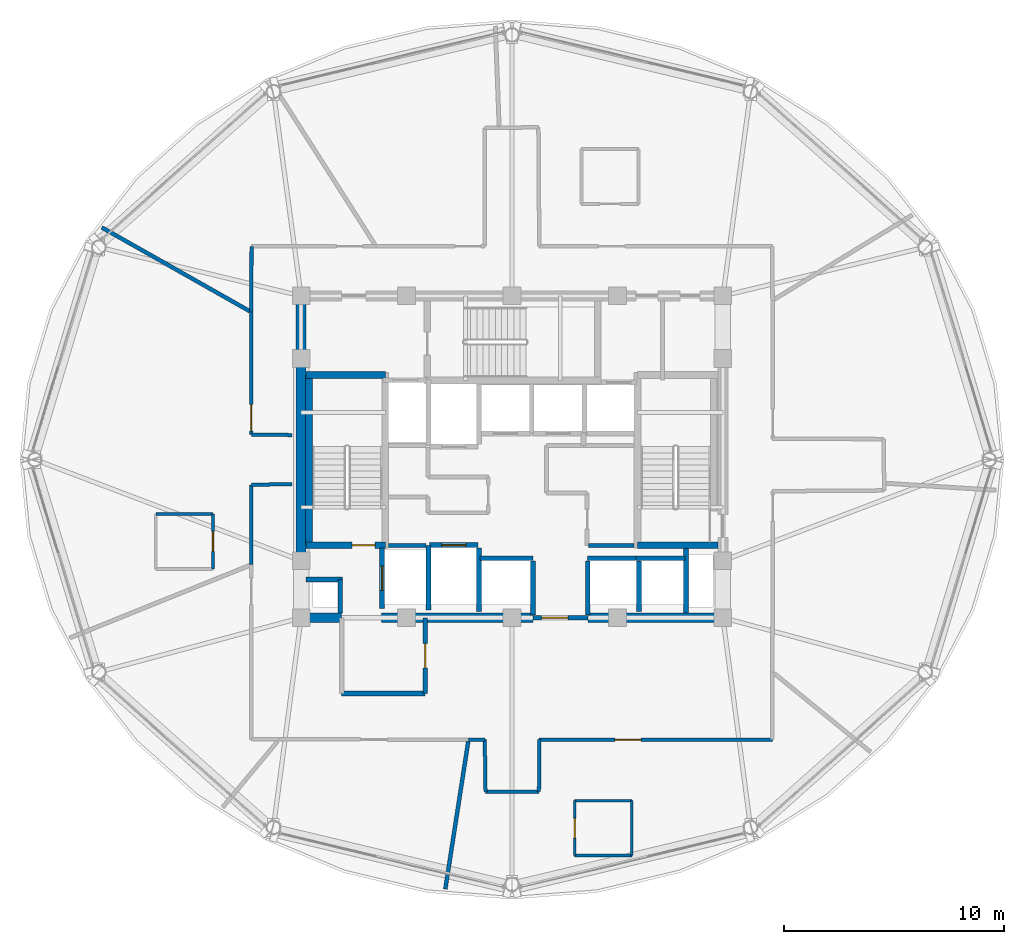
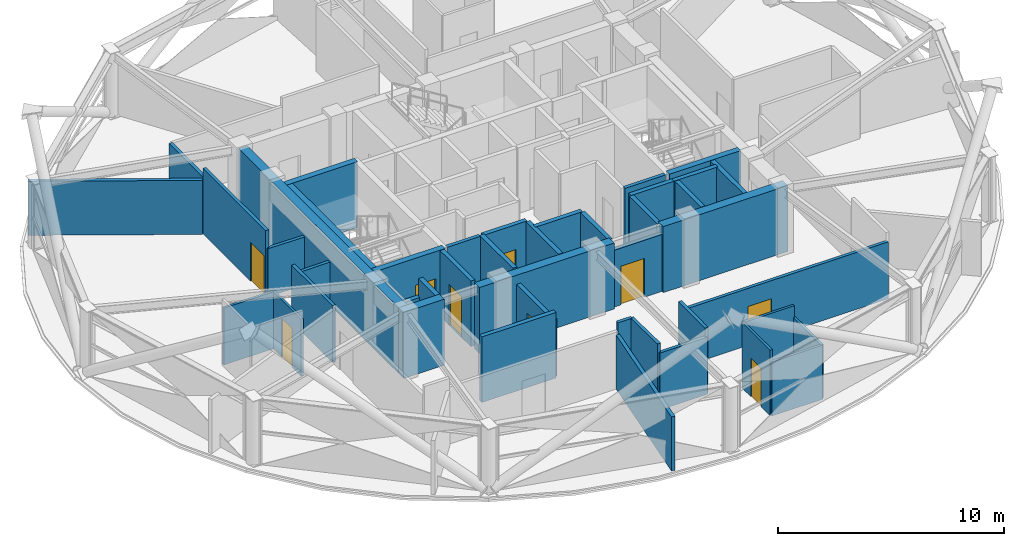
# One storey, part 22 of 28: 44 walls, 9 doors, 9 openings.
"""IFC4 building model written with IfcOpenShell, lengths in metres."""

from ifc_helpers import new_model, si_unit, direction, frame, frame_2d, origin, place, context, subcontext, project, spatial, rectangle, extrude, material, layer, layer_set, type_object, element, fill, save


model = new_model("IFC4")

# Units and contexts
model_context = context("Model", 3, precision=1e-05, world=origin(), true_north=direction((0.0, 1.0)))
body_context = subcontext(model_context, "Body", "Model", "MODEL_VIEW")
ifc_project = project(units=[si_unit("LENGTHUNIT", "METRE"), si_unit("AREAUNIT", "SQUARE_METRE"), si_unit("VOLUMEUNIT", "CUBIC_METRE"), si_unit("PLANEANGLEUNIT", "RADIAN"), si_unit("MASSUNIT", "GRAM", prefix="KILO")], contexts=[model_context])

# Site, building, storey
site_placement = place(None, origin())
site = spatial("IfcSite", under=ifc_project, at=site_placement, CompositionType="ELEMENT")
building_placement = place(site_placement, origin())
building = spatial("IfcBuilding", under=site, at=building_placement, Name="Vantalir Tower", CompositionType="ELEMENT")
storey_placement = place(building_placement, frame((0.0, 0.0, 242.39990234375)))
storey = spatial("IfcBuildingStorey", under=building, at=storey_placement, Name="L61", CompositionType="ELEMENT", Elevation=242.39990234375)

# Wall
ifc_material_1 = material(Name="Moisture-resistant en-suite partition", Category="gypsum")
ifc_layer_1 = layer(ifc_material_1, 0.125)
ifc_layer_set_1 = layer_set([ifc_layer_1], Name="Moisture-resistant en-suite partition")
wall_type_1 = type_object("IfcWallType", Name="WL-BATH-125", PredefinedType="PARTITIONING", material=ifc_layer_set_1)
wall_1_placement = place(storey_placement, frame((15.2900390625, 22.52587890625, 0.0), z_axis=(0.0, 0.0, 1.0), x_axis=(1.0, 0.0, 0.0)))
element("IfcWall", 1, at=wall_1_placement, inside=storey, type_object=wall_type_1, Name="L61 En-suite 04 North Wall", PredefinedType="PARTITIONING", context=body_context, shape_type="SweptSolid", body=[
    extrude(rectangle(XDim=2.599853515625, YDim=0.125, at=frame_2d((1.2998046875, 0.0))), origin(), (0.0, 0.0, 1.0), 3.0810546875),
])

# Wall, opening, door
wall_2_placement = place(storey_placement, frame((17.889892578125, 20.02587890625, 0.0), z_axis=(0.0, 0.0, 1.0), x_axis=(0.0, 1.0, 0.0)))
wall_2 = element("IfcWall", 2, at=wall_2_placement, inside=storey, type_object=wall_type_1, Name="L61 En-suite 04 East Wall", PredefinedType="PARTITIONING", context=body_context, shape_type="SweptSolid", body=[
    extrude(rectangle(XDim=2.5, YDim=0.125, at=frame_2d((1.25, 0.0))), origin(), (0.0, 0.0, 1.0), 3.0810546875),
])
opening_1_placement = place(wall_2_placement, frame((0.800048828125, 0.0, 0.0)))
opening_1 = element("IfcOpeningElement", 3, at=opening_1_placement, cuts=wall_2, Name="Opening D-WC", PredefinedType="OPENING", context=body_context, shape_type="SweptSolid", body=[
    extrude(rectangle(XDim=0.89990234375, YDim=2.10009765625, at=frame_2d((0.449951171875, 1.050048828125))), frame((0.0, 0.072509765625, 0.0), z_axis=(0.0, -1.0, 0.0), x_axis=(1.0, 0.0, 0.0)), (0.0, 0.0, 1.0), 0.14501953125),
])
ifc_material_2 = material(Name="Moisture-resistant hardwood door", Category="wood")
door_type_1 = type_object("IfcDoorType", Name="DR-ENSUITE-900", OperationType="NOTDEFINED", PredefinedType="DOOR", material=ifc_material_2)
door_1_placement = place(opening_1_placement, origin())
door_1 = element("IfcDoor", 4, at=door_1_placement, inside=storey, type_object=door_type_1, Name="L61 En-suite 04 Door", OperationType="SINGLE_SWING_RIGHT", OverallHeight=2.10009765625, OverallWidth=0.89990234375, PredefinedType="DOOR", context=body_context, shape_type="SweptSolid", body=[
    extrude(rectangle(XDim=0.89990234375, YDim=2.10009765625, at=frame_2d((0.449951171875, 1.050048828125))), frame((0.0, 0.02490234375, 0.0), z_axis=(0.0, -1.0, 0.0), x_axis=(1.0, 0.0, 0.0)), (0.0, 0.0, 1.0), 0.050048828125),
])
fill(opening_1, door_1)

# Walls
wall_3_placement = place(storey_placement, frame((34.35400390625, 6.97607421875, 0.0), z_axis=(0.0, 0.0, 1.0), x_axis=(1.0, 0.0, 0.0)))
element("IfcWall", 5, at=wall_3_placement, inside=storey, type_object=wall_type_1, Name="L61 En-suite 07 South Wall", PredefinedType="PARTITIONING", context=body_context, shape_type="SweptSolid", body=[
    extrude(rectangle(XDim=2.60009765625, YDim=0.125, at=frame_2d((1.300048828125, 0.0))), origin(), (0.0, 0.0, 1.0), 2.925048828125),
])
wall_4_placement = place(storey_placement, frame((34.35400390625, 9.47607421875, 0.0), z_axis=(0.0, 0.0, 1.0), x_axis=(1.0, 0.0, 0.0)))
element("IfcWall", 6, at=wall_4_placement, inside=storey, type_object=wall_type_1, Name="L61 En-suite 07 North Wall", PredefinedType="PARTITIONING", context=body_context, shape_type="SweptSolid", body=[
    extrude(rectangle(XDim=2.60009765625, YDim=0.125, at=frame_2d((1.300048828125, 0.0))), origin(), (0.0, 0.0, 1.0), 3.550048828125),
])

# Wall, opening, door
wall_5_placement = place(storey_placement, frame((34.35400390625, 6.97607421875, 0.0), z_axis=(0.0, 0.0, 1.0), x_axis=(0.0, 1.0, 0.0)))
wall_5 = element("IfcWall", 7, at=wall_5_placement, inside=storey, type_object=wall_type_1, Name="L61 En-suite 07 West Wall", PredefinedType="PARTITIONING", context=body_context, shape_type="SweptSolid", body=[
    extrude(rectangle(XDim=2.5, YDim=0.125, at=frame_2d((1.25, 0.0))), origin(), (0.0, 0.0, 1.0), 3.550048828125),
])
opening_2_placement = place(wall_5_placement, frame((0.800048828125, 0.0, 0.0)))
opening_2 = element("IfcOpeningElement", 8, at=opening_2_placement, cuts=wall_5, Name="Opening D-WC", PredefinedType="OPENING", context=body_context, shape_type="SweptSolid", body=[
    extrude(rectangle(XDim=0.89990234375, YDim=2.10009765625, at=frame_2d((0.449951171875, 1.050048828125))), frame((0.0, 0.072509765625, 0.0), z_axis=(0.0, -1.0, 0.0), x_axis=(1.0, 0.0, 0.0)), (0.0, 0.0, 1.0), 0.14501953125),
])
door_2_placement = place(opening_2_placement, frame((0.89990234375, 0.0, 0.0), z_axis=(0.0, 0.0, 1.0), x_axis=(-1.0, 0.0, 0.0)))
door_2 = element("IfcDoor", 9, at=door_2_placement, inside=storey, type_object=door_type_1, Name="L61 En-suite 07 Door", OperationType="SINGLE_SWING_LEFT", OverallHeight=2.10009765625, OverallWidth=0.89990234375, PredefinedType="DOOR", context=body_context, shape_type="SweptSolid", body=[
    extrude(rectangle(XDim=0.89990234375, YDim=2.10009765625, at=frame_2d((0.449951171875, 1.050048828125))), frame((0.0, 0.02490234375, 0.0), z_axis=(0.0, -1.0, 0.0), x_axis=(1.0, 0.0, 0.0)), (0.0, 0.0, 1.0), 0.050048828125),
])
fill(opening_2, door_2)

# Walls
wall_6_placement = place(storey_placement, frame((36.9541015625, 6.97607421875, 0.0), z_axis=(0.0, 0.0, 1.0), x_axis=(0.0, 1.0, 0.0)))
element("IfcWall", 10, at=wall_6_placement, inside=storey, type_object=wall_type_1, Name="L61 En-suite 07 East Wall", PredefinedType="PARTITIONING", context=body_context, shape_type="SweptSolid", body=[
    extrude(rectangle(XDim=2.5, YDim=0.125, at=frame_2d((1.25, 0.0))), origin(), (0.0, 0.0, 1.0), 2.925048828125),
])
ifc_material_3 = material(Name="Concrete C50/60", Category="concrete")
ifc_layer_2 = layer(ifc_material_3, 0.449951171875)
ifc_layer_set_2 = layer_set([ifc_layer_2], Name="Concrete C50/60")
wall_type_2 = type_object("IfcWallType", Name="WL-CORE-450", PredefinedType="SHEAR", material=ifc_layer_set_2)
wall_7_placement = place(storey_placement, frame((21.675048828125, 17.800048828125, 0.0), z_axis=(0.0, 0.0, 1.0), x_axis=(1.0, 0.0, 0.0)))
element("IfcWall", 11, at=wall_7_placement, inside=storey, type_object=wall_type_2, Name="L61 Core Shear Wall South-West", PredefinedType="SHEAR", context=body_context, shape_type="SweptSolid", body=[
    extrude(rectangle(XDim=2.074951171875, YDim=0.449951171875, at=frame_2d((1.03759765625, 0.0))), origin(), (0.0, 0.0, 1.0), 3.570068359375),
])
wall_8_placement = place(storey_placement, frame((25.550048828125, 17.800048828125, 0.0), z_axis=(0.0, 0.0, 1.0), x_axis=(1.0, 0.0, 0.0)))
element("IfcWall", 12, at=wall_8_placement, inside=storey, type_object=wall_type_2, Name="L61 Core Shear Wall South-Mid", PredefinedType="SHEAR", context=body_context, shape_type="SweptSolid", body=[
    extrude(rectangle(XDim=6.89990234375, YDim=0.449951171875, at=frame_2d((3.449951171875, 0.0))), origin(), (0.0, 0.0, 1.0), 3.570068359375),
])
wall_9_placement = place(storey_placement, frame((34.949951171875, 17.800048828125, 0.0), z_axis=(0.0, 0.0, 1.0), x_axis=(1.0, 0.0, 0.0)))
element("IfcWall", 13, at=wall_9_placement, inside=storey, type_object=wall_type_2, Name="L61 Core Shear Wall South-East", PredefinedType="SHEAR", context=body_context, shape_type="SweptSolid", body=[
    extrude(rectangle(XDim=6.375, YDim=0.449951171875, at=frame_2d((3.1875, 0.0))), origin(), (0.0, 0.0, 1.0), 3.570068359375),
])
wall_10_placement = place(storey_placement, frame((21.89990234375, 18.02490234375, 0.0), z_axis=(0.0, 0.0, 1.0), x_axis=(0.0, 1.0, 0.0)))
element("IfcWall", 14, at=wall_10_placement, inside=storey, type_object=wall_type_2, Name="L61 Core Shear Wall West", PredefinedType="SHEAR", context=body_context, shape_type="SweptSolid", body=[
    extrude(rectangle(XDim=14.2001953125, YDim=0.449951171875, at=frame_2d((7.10009765625, 0.0))), origin(), (0.0, 0.0, 1.0), 3.570068359375),
])
ifc_material_4 = material(Name="Fire-rated hotel corridor acoustic partition", Category="gypsum")
ifc_layer_3 = layer(ifc_material_4, 0.159912109375)
ifc_layer_set_3 = layer_set([ifc_layer_3], Name="Fire-rated hotel corridor acoustic partition")
wall_type_3 = type_object("IfcWallType", Name="WL-CORR-160", PredefinedType="PARTITIONING", material=ifc_layer_set_3)
wall_11_placement = place(storey_placement, frame((21.4951171875, 26.116943359375, 0.0), z_axis=(0.0, 0.0, 1.0), x_axis=(-0.999908537082, 0.013524698532, 0.0)))
element("IfcWall", 15, at=wall_11_placement, inside=storey, type_object=wall_type_3, Name="L61 Corridor Partition 01", PredefinedType="PARTITIONING", context=body_context, shape_type="SweptSolid", body=[
    extrude(rectangle(XDim=1.859375, YDim=0.159912109375, at=frame_2d((0.9296875, 0.0))), origin(), (0.0, 0.0, 1.0), 2.59521484375),
])

# Wall, opening, door
wall_12_placement = place(storey_placement, frame((19.635986328125, 26.14208984375, 0.0), z_axis=(0.0, 0.0, 1.0), x_axis=(0.000920648448, 0.999999576203, 0.0)))
wall_12 = element("IfcWall", 16, at=wall_12_placement, inside=storey, type_object=wall_type_3, Name="L61 Corridor Partition 02", PredefinedType="PARTITIONING", context=body_context, shape_type="SweptSolid", body=[
    extrude(rectangle(XDim=5.56884765625, YDim=0.159912109375, at=frame_2d((2.784423828125, 0.0))), origin(), (0.0, 0.0, 1.0), 3.550048828125),
])
opening_3_placement = place(wall_12_placement, frame((0.159912109375, 0.0, 0.0)))
opening_3 = element("IfcOpeningElement", 17, at=opening_3_placement, cuts=wall_12, Name="Opening D-STE", PredefinedType="OPENING", context=body_context, shape_type="SweptSolid", body=[
    extrude(rectangle(XDim=1.199951171875, YDim=2.10009765625, at=frame_2d((0.60009765625, 1.050048828125))), frame((0.0, 0.08984375, 0.0), z_axis=(0.0, -1.0, 0.0), x_axis=(1.0, 0.0, 0.0)), (0.0, 0.0, 1.0), 0.179931640625),
])
ifc_material_5 = material(Name="Solid-core teak veneer suite entrance door", Category="wood")
door_type_2 = type_object("IfcDoorType", Name="DR-SUITE-ENTRY-1200", OperationType="NOTDEFINED", PredefinedType="DOOR", material=ifc_material_5)
door_3_placement = place(opening_3_placement, origin())
door_3 = element("IfcDoor", 18, at=door_3_placement, inside=storey, type_object=door_type_2, Name="L61 Corner Panorama Hotel Suite 04 Door", OperationType="SINGLE_SWING_RIGHT", OverallHeight=2.10009765625, OverallWidth=1.199951171875, PredefinedType="DOOR", context=body_context, shape_type="SweptSolid", body=[
    extrude(rectangle(XDim=1.199951171875, YDim=2.10009765625, at=frame_2d((0.60009765625, 1.050048828125))), frame((0.0, 0.02490234375, 0.0), z_axis=(0.0, -1.0, 0.0), x_axis=(1.0, 0.0, 0.0)), (0.0, 0.0, 1.0), 0.050048828125),
])
fill(opening_3, door_3)

# Wall
wall_13_placement = place(storey_placement, frame((19.64111328125, 31.7109375, 0.0), z_axis=(0.0, 0.0, 1.0), x_axis=(0.000980151453, 0.999999519651, 0.0)))
element("IfcWall", 19, at=wall_13_placement, inside=storey, type_object=wall_type_3, Name="L61 Corridor Partition 03", PredefinedType="PARTITIONING", context=body_context, shape_type="SweptSolid", body=[
    extrude(rectangle(XDim=2.989013671875, YDim=0.159912109375, at=frame_2d((1.49462890625, 0.0))), origin(), (0.0, 0.0, 1.0), 3.0810546875),
])

# Wall, opening, door
wall_14_placement = place(storey_placement, frame((43.35009765625, 12.259033203125, 0.0), z_axis=(0.0, 0.0, 1.0), x_axis=(-0.999999637579, -0.000851376852, 0.0)))
wall_14 = element("IfcWall", 20, at=wall_14_placement, inside=storey, type_object=wall_type_3, Name="L61 Corridor Partition 18", PredefinedType="PARTITIONING", context=body_context, shape_type="SweptSolid", body=[
    extrude(rectangle(XDim=10.610107421875, YDim=0.159912109375, at=frame_2d((5.30517578125, 0.0))), origin(), (0.0, 0.0, 1.0), 3.0810546875),
])
opening_4_placement = place(wall_14_placement, frame((5.971923828125, 0.0, 0.0)))
opening_4 = element("IfcOpeningElement", 21, at=opening_4_placement, cuts=wall_14, Name="Opening D-STE", PredefinedType="OPENING", context=body_context, shape_type="SweptSolid", body=[
    extrude(rectangle(XDim=1.199951171875, YDim=2.10009765625, at=frame_2d((0.60009765625, 1.050048828125))), frame((0.0, 0.08984375, 0.0), z_axis=(0.0, -1.0, 0.0), x_axis=(1.0, 0.0, 0.0)), (0.0, 0.0, 1.0), 0.179931640625),
])
door_4_placement = place(opening_4_placement, origin())
door_4 = element("IfcDoor", 22, at=door_4_placement, inside=storey, type_object=door_type_2, Name="L61 Corner Panorama Hotel Suite 07 Door", OperationType="SINGLE_SWING_LEFT", OverallHeight=2.10009765625, OverallWidth=1.199951171875, PredefinedType="DOOR", context=body_context, shape_type="SweptSolid", body=[
    extrude(rectangle(XDim=1.199951171875, YDim=2.10009765625, at=frame_2d((0.60009765625, 1.050048828125))), frame((0.0, 0.02490234375, 0.0), z_axis=(0.0, -1.0, 0.0), x_axis=(1.0, 0.0, 0.0)), (0.0, 0.0, 1.0), 0.050048828125),
])
fill(opening_4, door_4)

# Walls
wall_15_placement = place(storey_placement, frame((32.739990234375, 12.25, 0.0), z_axis=(0.0, 0.0, 1.0), x_axis=(-0.005066629207, -0.999987164552, 0.0)))
element("IfcWall", 23, at=wall_15_placement, inside=storey, type_object=wall_type_3, Name="L61 Corridor Partition 19", PredefinedType="PARTITIONING", context=body_context, shape_type="SweptSolid", body=[
    extrude(rectangle(XDim=2.361083984375, YDim=0.159912109375, at=frame_2d((1.1806640625, 0.0))), origin(), (0.0, 0.0, 1.0), 3.550048828125),
])
wall_16_placement = place(storey_placement, frame((32.72802734375, 9.888916015625, 0.0), z_axis=(0.0, 0.0, 1.0), x_axis=(-0.999987903459, -0.004918631527, 0.0)))
element("IfcWall", 24, at=wall_16_placement, inside=storey, type_object=wall_type_3, Name="L61 Corridor Partition 20", PredefinedType="PARTITIONING", context=body_context, shape_type="SweptSolid", body=[
    extrude(rectangle(XDim=2.43212890625, YDim=0.159912109375, at=frame_2d((1.216064453125, 0.0))), origin(), (0.0, 0.0, 1.0), 3.0810546875),
])
wall_17_placement = place(storey_placement, frame((30.2958984375, 9.876953125, 0.0), z_axis=(0.0, 0.0, 1.0), x_axis=(-0.015121727576, 0.999885660141, 0.0)))
element("IfcWall", 25, at=wall_17_placement, inside=storey, type_object=wall_type_3, Name="L61 Corridor Partition 21", PredefinedType="PARTITIONING", context=body_context, shape_type="SweptSolid", body=[
    extrude(rectangle(XDim=2.373291015625, YDim=0.159912109375, at=frame_2d((1.1865234375, 0.0))), origin(), (0.0, 0.0, 1.0), 3.550048828125),
])
wall_18_placement = place(storey_placement, frame((30.260009765625, 12.25, 0.0), z_axis=(0.0, 0.0, 1.0), x_axis=(-0.999999126899, 0.001321439216, 0.0)))
element("IfcWall", 26, at=wall_18_placement, inside=storey, type_object=wall_type_3, Name="L61 Corridor Partition 22", PredefinedType="PARTITIONING", context=body_context, shape_type="SweptSolid", body=[
    extrude(rectangle(XDim=0.739013671875, YDim=0.159912109375, at=frame_2d((0.36962890625, 0.0))), origin(), (0.0, 0.0, 1.0), 3.550048828125),
])
wall_19_placement = place(storey_placement, frame((19.636962890625, 20.217041015625, 0.0), z_axis=(0.0, 0.0, 1.0), x_axis=(-0.000537020799, 0.999999855804, 0.0)))
element("IfcWall", 27, at=wall_19_placement, inside=storey, type_object=wall_type_3, Name="L61 Corridor Partition 26", PredefinedType="PARTITIONING", context=body_context, shape_type="SweptSolid", body=[
    extrude(rectangle(XDim=3.636962890625, YDim=0.159912109375, at=frame_2d((1.818359375, 0.0))), origin(), (0.0, 0.0, 1.0), 3.0810546875),
])
wall_20_placement = place(storey_placement, frame((19.635009765625, 23.85400390625, 0.0), z_axis=(0.0, 0.0, 1.0), x_axis=(0.999886107392, 0.015092125259, 0.0)))
element("IfcWall", 28, at=wall_20_placement, inside=storey, type_object=wall_type_3, Name="L61 Corridor Partition 27", PredefinedType="PARTITIONING", context=body_context, shape_type="SweptSolid", body=[
    extrude(rectangle(XDim=1.8603515625, YDim=0.159912109375, at=frame_2d((0.93017578125, 0.0))), origin(), (0.0, 0.0, 1.0), 2.59521484375),
])
ifc_material_6 = material(Name="Concrete blockwork with fireboard lining", Category="masonry")
ifc_layer_4 = layer(ifc_material_6, 0.219970703125)
ifc_layer_set_4 = layer_set([ifc_layer_4], Name="Concrete blockwork with fireboard lining")
wall_type_4 = type_object("IfcWallType", Name="WL-FFL-220", PredefinedType="PARTITIONING", material=ifc_layer_set_4)
wall_21_placement = place(storey_placement, frame((30.0, 18.080078125, 0.0), z_axis=(0.0, 0.0, 1.0), x_axis=(0.0, 1.0, 0.0)))
element("IfcWall", 29, at=wall_21_placement, inside=storey, type_object=wall_type_4, Name="L61 Service Lift SV1 East Shaft Wall", PredefinedType="PARTITIONING", context=body_context, shape_type="SweptSolid", body=[
    extrude(rectangle(XDim=2.89990234375, YDim=0.219970703125, at=frame_2d((1.449951171875, 0.0))), origin(), (0.0, 0.0, 1.0), 3.545166015625),
])
for number, where, z_axis, x_axis, name in (
    (30, (32.449951171875, 17.919921875, 0.0), (0.0, 0.0, 1.0), (0.0, 1.0, 0.0), "L61 Shuttle Lift PL-X1 East Shaft Cheek"),
    (31, (34.949951171875, 17.919921875, 0.0), (0.0, 0.0, 1.0), (0.0, 1.0, 0.0), "L61 Shuttle Lift PL-X3 West Shaft Cheek"),
):
    element("IfcWall", number, at=place(storey_placement, frame(where, z_axis=z_axis, x_axis=x_axis)), inside=storey, type_object=wall_type_4, Name=name, PredefinedType="PARTITIONING", context=body_context, shape_type="SweptSolid", body=[
        extrude(rectangle(XDim=2.469970703125, YDim=0.219970703125, at=frame_2d((1.23486328125, 0.0))), origin(), (0.0, 0.0, 1.0), 3.545166015625),
    ])
wall_22_placement = place(storey_placement, frame((37.27490234375, 18.080078125, 0.0), z_axis=(0.0, 0.0, 1.0), x_axis=(0.0, 1.0, 0.0)))
element("IfcWall", 32, at=wall_22_placement, inside=storey, type_object=wall_type_4, Name="L61 Shuttle Lift PL-X2/X3 Shaft Divider", PredefinedType="PARTITIONING", context=body_context, shape_type="SweptSolid", body=[
    extrude(rectangle(XDim=2.309814453125, YDim=0.219970703125, at=frame_2d((1.15478515625, 0.0))), origin(), (0.0, 0.0, 1.0), 3.545166015625),
])

# Wall, opening, door
wall_23_placement = place(storey_placement, frame((32.449951171875, 17.800048828125, 0.0), z_axis=(0.0, 0.0, 1.0), x_axis=(1.0, 0.0, 0.0)))
wall_23 = element("IfcWall", 33, at=wall_23_placement, inside=storey, type_object=wall_type_4, Name="L61 Passenger Lift Lobby South Wall", PredefinedType="PARTITIONING", context=body_context, shape_type="SweptSolid", body=[
    extrude(rectangle(XDim=2.5, YDim=0.219970703125, at=frame_2d((1.25, 0.0))), origin(), (0.0, 0.0, 1.0), 3.0810546875),
])
opening_5_placement = place(wall_23_placement, frame((0.39990234375, 0.0, 0.0)))
opening_5 = element("IfcOpeningElement", 34, at=opening_5_placement, cuts=wall_23, Name="Opening D-STE", PredefinedType="OPENING", context=body_context, shape_type="SweptSolid", body=[
    extrude(rectangle(XDim=1.199951171875, YDim=2.10009765625, at=frame_2d((0.60009765625, 1.050048828125))), frame((0.0, 0.119873046875, 0.0), z_axis=(0.0, -1.0, 0.0), x_axis=(1.0, 0.0, 0.0)), (0.0, 0.0, 1.0), 0.239990234375),
])
door_5_placement = place(opening_5_placement, origin())
door_5 = element("IfcDoor", 35, at=door_5_placement, inside=storey, type_object=door_type_2, Name="L61 Passenger Lift Lobby Concourse Door", OperationType="SINGLE_SWING_RIGHT", OverallHeight=2.10009765625, OverallWidth=1.199951171875, PredefinedType="DOOR", context=body_context, shape_type="SweptSolid", body=[
    extrude(rectangle(XDim=1.199951171875, YDim=2.10009765625, at=frame_2d((0.60009765625, 1.050048828125))), frame((0.0, 0.02490234375, 0.0), z_axis=(0.0, -1.0, 0.0), x_axis=(1.0, 0.0, 0.0)), (0.0, 0.0, 1.0), 0.050048828125),
])
fill(opening_5, door_5)

# Walls
wall_24_placement = place(storey_placement, frame((23.679931640625, 18.02490234375, 0.0), z_axis=(0.0, 0.0, 1.0), x_axis=(0.0, 1.0, 0.0)))
element("IfcWall", 36, at=wall_24_placement, inside=storey, type_object=wall_type_4, Name="L61 West MEP Riser Wall E", PredefinedType="PARTITIONING", context=body_context, shape_type="SweptSolid", body=[
    extrude(rectangle(XDim=1.525146484375, YDim=0.219970703125, at=frame_2d((0.7626953125, 0.0))), origin(), (0.0, 0.0, 1.0), 3.550048828125),
])
wall_25_placement = place(storey_placement, frame((22.125, 19.550048828125, 0.0), z_axis=(0.0, 0.0, 1.0), x_axis=(1.0, 0.0, 0.0)))
element("IfcWall", 37, at=wall_25_placement, inside=storey, type_object=wall_type_4, Name="L61 West MEP Riser Wall N", PredefinedType="PARTITIONING", context=body_context, shape_type="SweptSolid", body=[
    extrude(rectangle(XDim=1.6650390625, YDim=0.219970703125, at=frame_2d((0.83251953125, 0.0))), origin(), (0.0, 0.0, 1.0), 2.59521484375),
])
wall_26_placement = place(storey_placement, frame((39.419921875, 18.02490234375, 0.0), z_axis=(0.0, 0.0, 1.0), x_axis=(0.0, 1.0, 0.0)))
element("IfcWall", 38, at=wall_26_placement, inside=storey, type_object=wall_type_4, Name="L61 East MEP Riser Wall W", PredefinedType="PARTITIONING", context=body_context, shape_type="SweptSolid", body=[
    extrude(rectangle(XDim=2.925048828125, YDim=0.219970703125, at=frame_2d((1.46240234375, 0.0))), origin(), (0.0, 0.0, 1.0), 3.550048828125),
])

# Wall, opening, door
wall_27_placement = place(storey_placement, frame((25.590087890625, 18.219970703125, 0.0), z_axis=(0.0, 0.0, 1.0), x_axis=(0.0, 1.0, 0.0)))
wall_27 = element("IfcWall", 39, at=wall_27_placement, inside=storey, type_object=wall_type_4, Name="L61 Lift FL1 Shaft Front Wall", PredefinedType="PARTITIONING", context=body_context, shape_type="SweptSolid", body=[
    extrude(rectangle(XDim=2.760009765625, YDim=0.219970703125, at=frame_2d((1.3798828125, 0.0))), origin(), (0.0, 0.0, 1.0), 3.550048828125),
])
opening_6_placement = place(wall_27_placement, frame((0.830078125, 0.0, 0.0)))
opening_6 = element("IfcOpeningElement", 40, at=opening_6_placement, cuts=wall_27, Name="Opening LD-FL1", PredefinedType="OPENING", context=body_context, shape_type="SweptSolid", body=[
    extrude(rectangle(XDim=1.10009765625, YDim=2.199951171875, at=frame_2d((0.550048828125, 1.10009765625))), frame((0.0, 0.119873046875, 0.0), z_axis=(0.0, -1.0, 0.0), x_axis=(1.0, 0.0, 0.0)), (0.0, 0.0, 1.0), 0.239990234375),
])
ifc_material_7 = material(Name="Brushed stainless-steel sliding lift landing door", Category="steel")
door_type_3 = type_object("IfcDoorType", Name="DR-LIFT-LANDING-1100", OperationType="DOUBLE_DOOR_SLIDING", PredefinedType="DOOR", material=ifc_material_7)
door_6_placement = place(opening_6_placement, origin())
door_6 = element("IfcDoor", 41, at=door_6_placement, inside=storey, type_object=door_type_3, Name="L61 Lift Landing Door FL1", OperationType="DOUBLE_DOOR_SLIDING", OverallHeight=2.199951171875, OverallWidth=1.10009765625, PredefinedType="DOOR", context=body_context, shape_type="SweptSolid", body=[
    extrude(rectangle(XDim=1.10009765625, YDim=2.199951171875, at=frame_2d((0.550048828125, 1.10009765625))), frame((0.0, 0.02490234375, 0.0), z_axis=(0.0, -1.0, 0.0), x_axis=(1.0, 0.0, 0.0)), (0.0, 0.0, 1.0), 0.050048828125),
])
fill(opening_6, door_6)

wall_28_placement = place(storey_placement, frame((27.739990234375, 21.110107421875, 0.0), z_axis=(0.0, 0.0, 1.0), x_axis=(1.0, 0.0, 0.0)))
wall_28 = element("IfcWall", 42, at=wall_28_placement, inside=storey, type_object=wall_type_4, Name="L61 Lift SV1 Shaft Front Wall", PredefinedType="PARTITIONING", context=body_context, shape_type="SweptSolid", body=[
    extrude(rectangle(XDim=2.219970703125, YDim=0.219970703125, at=frame_2d((1.10986328125, 0.0))), origin(), (0.0, 0.0, 1.0), 3.550048828125),
])
opening_7_placement = place(wall_28_placement, frame((0.56005859375, 0.0, 0.0)))
opening_7 = element("IfcOpeningElement", 43, at=opening_7_placement, cuts=wall_28, Name="Opening LD-SV1", PredefinedType="OPENING", context=body_context, shape_type="SweptSolid", body=[
    extrude(rectangle(XDim=1.10009765625, YDim=2.199951171875, at=frame_2d((0.550048828125, 1.10009765625))), frame((0.0, 0.119873046875, 0.0), z_axis=(0.0, -1.0, 0.0), x_axis=(1.0, 0.0, 0.0)), (0.0, 0.0, 1.0), 0.239990234375),
])
door_7_placement = place(opening_7_placement, origin())
door_7 = element("IfcDoor", 44, at=door_7_placement, inside=storey, type_object=door_type_3, Name="L61 Lift Landing Door SV1", OperationType="DOUBLE_DOOR_SLIDING", OverallHeight=2.199951171875, OverallWidth=1.10009765625, PredefinedType="DOOR", context=body_context, shape_type="SweptSolid", body=[
    extrude(rectangle(XDim=1.10009765625, YDim=2.199951171875, at=frame_2d((0.550048828125, 1.10009765625))), frame((0.0, 0.02490234375, 0.0), z_axis=(0.0, -1.0, 0.0), x_axis=(1.0, 0.0, 0.0)), (0.0, 0.0, 1.0), 0.050048828125),
])
fill(opening_7, door_7)

# Walls
wall_29_placement = place(storey_placement, frame((30.0400390625, 20.510009765625, 0.0), z_axis=(0.0, 0.0, 1.0), x_axis=(1.0, 0.0, 0.0)))
element("IfcWall", 45, at=wall_29_placement, inside=storey, type_object=wall_type_4, Name="L61 Lift PL-X1 Shaft Front Wall", PredefinedType="PARTITIONING", context=body_context, shape_type="SweptSolid", body=[
    extrude(rectangle(XDim=2.419921875, YDim=0.219970703125, at=frame_2d((1.2099609375, 0.0))), origin(), (0.0, 0.0, 1.0), 3.550048828125),
])
for number, where, z_axis, x_axis, name in (
    (46, (37.139892578125, 20.510009765625, 0.0), (0.0, 0.0, 1.0), (1.0, 0.0, 0.0), "L61 Lift PL-X2 Shaft Rear Wall"),
    (47, (34.93994140625, 20.510009765625, 0.0), (0.0, 0.0, 1.0), (1.0, 0.0, 0.0), "L61 Lift PL-X3 Shaft Front Wall"),
):
    element("IfcWall", number, at=place(storey_placement, frame(where, z_axis=z_axis, x_axis=x_axis)), inside=storey, type_object=wall_type_4, Name=name, PredefinedType="PARTITIONING", context=body_context, shape_type="SweptSolid", body=[
        extrude(rectangle(XDim=2.239990234375, YDim=0.219970703125, at=frame_2d((1.1201171875, 0.0))), origin(), (0.0, 0.0, 1.0), 3.550048828125),
    ])
wall_30_placement = place(storey_placement, frame((27.699951171875, 18.14990234375, 0.0), z_axis=(0.0, 0.0, 1.0), x_axis=(0.0, 1.0, 0.0)))
element("IfcWall", 48, at=wall_30_placement, inside=storey, type_object=wall_type_4, Name="L61 Fire Lift FL1 Dividing Wall", PredefinedType="PARTITIONING", context=body_context, shape_type="SweptSolid", body=[
    extrude(rectangle(XDim=2.9501953125, YDim=0.219970703125, at=frame_2d((1.47509765625, 0.0))), origin(), (0.0, 0.0, 1.0), 3.550048828125),
])
wall_31_placement = place(storey_placement, frame((23.75, 14.35009765625, 0.0), z_axis=(0.0, 0.0, 1.0), x_axis=(1.0, 0.0, 0.0)))
element("IfcWall", 49, at=wall_31_placement, inside=storey, type_object=wall_type_4, Name="L61 Firefighting Lobby West South Wall", PredefinedType="PARTITIONING", context=body_context, shape_type="SweptSolid", body=[
    extrude(rectangle(XDim=3.800048828125, YDim=0.219970703125, at=frame_2d((1.89990234375, 0.0))), origin(), (0.0, 0.0, 1.0), 3.550048828125),
])

# Wall, opening, door
wall_32_placement = place(storey_placement, frame((27.550048828125, 14.35009765625, 0.0), z_axis=(0.0, 0.0, 1.0), x_axis=(0.0, 1.0, 0.0)))
wall_32 = element("IfcWall", 50, at=wall_32_placement, inside=storey, type_object=wall_type_4, Name="L61 Firefighting Lobby West East Wall", PredefinedType="PARTITIONING", context=body_context, shape_type="SweptSolid", body=[
    extrude(rectangle(XDim=3.449951171875, YDim=0.219970703125, at=frame_2d((1.72509765625, 0.0))), origin(), (0.0, 0.0, 1.0), 3.0810546875),
])
opening_8_placement = place(wall_32_placement, frame((1.175048828125, 0.0, 0.0)))
opening_8 = element("IfcOpeningElement", 51, at=opening_8_placement, cuts=wall_32, Name="Opening D-FFL", PredefinedType="OPENING", context=body_context, shape_type="SweptSolid", body=[
    extrude(rectangle(XDim=1.10009765625, YDim=2.10009765625, at=frame_2d((0.550048828125, 1.050048828125))), frame((0.0, 0.119873046875, 0.0), z_axis=(0.0, -1.0, 0.0), x_axis=(1.0, 0.0, 0.0)), (0.0, 0.0, 1.0), 0.239990234375),
])
ifc_material_8 = material(Name="Fire-rated acoustic steel door", Category="steel")
door_type_4 = type_object("IfcDoorType", Name="DR-FIRE-LOBBY-1100", OperationType="NOTDEFINED", PredefinedType="DOOR", material=ifc_material_8)
door_8_placement = place(opening_8_placement, origin())
door_8 = element("IfcDoor", 52, at=door_8_placement, inside=storey, type_object=door_type_4, Name="L61 Firefighting Lobby West Access Door", OperationType="SINGLE_SWING_RIGHT", OverallHeight=2.10009765625, OverallWidth=1.10009765625, PredefinedType="DOOR", context=body_context, shape_type="SweptSolid", body=[
    extrude(rectangle(XDim=1.10009765625, YDim=2.10009765625, at=frame_2d((0.550048828125, 1.050048828125))), frame((0.0, 0.02490234375, 0.0), z_axis=(0.0, -1.0, 0.0), x_axis=(1.0, 0.0, 0.0)), (0.0, 0.0, 1.0), 0.050048828125),
])
fill(opening_8, door_8)

# Walls
ifc_material_9 = material(Name="Twin-stud acoustic fire-rated gypsum partition", Category="gypsum")
ifc_layer_5 = layer(ifc_material_9, 0.179931640625)
ifc_layer_set_5 = layer_set([ifc_layer_5], Name="Twin-stud acoustic fire-rated gypsum partition")
wall_type_5 = type_object("IfcWallType", Name="WL-GUEST-180", PredefinedType="PARTITIONING", material=ifc_layer_set_5)
wall_33_placement = place(storey_placement, frame((25.889892578125, 21.10009765625, 0.0), z_axis=(0.0, 0.0, 1.0), x_axis=(1.0, 0.0, 0.0)))
element("IfcWall", 53, at=wall_33_placement, inside=storey, type_object=wall_type_5, Name="L61 Freed West Core South Wall", PredefinedType="PARTITIONING", context=body_context, shape_type="SweptSolid", body=[
    extrude(rectangle(XDim=1.7001953125, YDim=0.179931640625, at=frame_2d((0.85009765625, 0.0))), origin(), (0.0, 0.0, 1.0), 3.550048828125),
])
wall_34_placement = place(storey_placement, frame((34.97998046875, 21.10009765625, 0.0), z_axis=(0.0, 0.0, 1.0), x_axis=(1.0, 0.0, 0.0)))
element("IfcWall", 54, at=wall_34_placement, inside=storey, type_object=wall_type_5, Name="L61 Freed East Core South Wall", PredefinedType="PARTITIONING", context=body_context, shape_type="SweptSolid", body=[
    extrude(rectangle(XDim=2.080078125, YDim=0.179931640625, at=frame_2d((1.0400390625, 0.0))), origin(), (0.0, 0.0, 1.0), 3.550048828125),
])
wall_35_placement = place(storey_placement, frame((19.56005859375, 31.757080078125, 0.0), z_axis=(0.0, 0.0, 1.0), x_axis=(-0.870312783113, 0.492499400559, 0.0)))
element("IfcWall", 55, at=wall_35_placement, inside=storey, type_object=wall_type_5, Name="L61 Radial Suite Partition 04", PredefinedType="PARTITIONING", context=body_context, shape_type="SweptSolid", body=[
    extrude(rectangle(XDim=7.731689453125, YDim=0.179931640625, at=frame_2d((3.86572265625, 0.0))), origin(), (0.0, 0.0, 1.0), 2.925048828125),
])
wall_36_placement = place(storey_placement, frame((29.509033203125, 12.175048828125, 0.0), z_axis=(0.0, 0.0, 1.0), x_axis=(-0.15334639492, -0.988172496665, 0.0)))
element("IfcWall", 56, at=wall_36_placement, inside=storey, type_object=wall_type_5, Name="L61 Radial Suite Partition 07", PredefinedType="PARTITIONING", context=body_context, shape_type="SweptSolid", body=[
    extrude(rectangle(XDim=6.80126953125, YDim=0.179931640625, at=frame_2d((3.400634765625, 0.0))), origin(), (0.0, 0.0, 1.0), 2.925048828125),
])

# Wall, opening, door
ifc_layer_6 = layer(ifc_material_3, 0.300048828125)
ifc_layer_set_6 = layer_set([ifc_layer_6], Name="Concrete C50/60")
wall_type_6 = type_object("IfcWallType", Name="WL-STAIR-300", PredefinedType="SHEAR", material=ifc_layer_set_6)
wall_37_placement = place(storey_placement, frame((22.125, 21.10009765625, 0.0), z_axis=(0.0, 0.0, 1.0), x_axis=(1.0, 0.0, 0.0)))
wall_37 = element("IfcWall", 57, at=wall_37_placement, inside=storey, type_object=wall_type_6, Name="L61 Stair ST1 South Wall", PredefinedType="SHEAR", context=body_context, shape_type="SweptSolid", body=[
    extrude(rectangle(XDim=3.614990234375, YDim=0.300048828125, at=frame_2d((1.8076171875, 0.0))), origin(), (0.0, 0.0, 1.0), 3.570068359375),
])
opening_9_placement = place(wall_37_placement, frame((2.094970703125, 0.0, 0.0)))
opening_9 = element("IfcOpeningElement", 58, at=opening_9_placement, cuts=wall_37, Name="Opening D-ST", PredefinedType="OPENING", context=body_context, shape_type="SweptSolid", body=[
    extrude(rectangle(XDim=1.050048828125, YDim=2.10009765625, at=frame_2d((0.52490234375, 1.050048828125))), frame((0.0, 0.159912109375, 0.0), z_axis=(0.0, -1.0, 0.0), x_axis=(1.0, 0.0, 0.0)), (0.0, 0.0, 1.0), 0.320068359375),
])
ifc_material_10 = material(Name="Fire-rated steel door leaf", Category="steel")
door_type_5 = type_object("IfcDoorType", Name="DR-FIRE-STAIR-1050", OperationType="NOTDEFINED", PredefinedType="DOOR", material=ifc_material_10)
door_9_placement = place(opening_9_placement, origin())
door_9 = element("IfcDoor", 59, at=door_9_placement, inside=storey, type_object=door_type_5, Name="L61 Exit Stair ST1 Fire Door", OperationType="SINGLE_SWING_RIGHT", OverallHeight=2.10009765625, OverallWidth=1.050048828125, PredefinedType="DOOR", context=body_context, shape_type="SweptSolid", body=[
    extrude(rectangle(XDim=1.050048828125, YDim=2.10009765625, at=frame_2d((0.52490234375, 1.050048828125))), frame((0.0, 0.02490234375, 0.0), z_axis=(0.0, -1.0, 0.0), x_axis=(1.0, 0.0, 0.0)), (0.0, 0.0, 1.0), 0.050048828125),
])
fill(opening_9, door_9)

# Walls
wall_38_placement = place(storey_placement, frame((22.125, 28.85009765625, 0.0), z_axis=(0.0, 0.0, 1.0), x_axis=(1.0, 0.0, 0.0)))
element("IfcWall", 60, at=wall_38_placement, inside=storey, type_object=wall_type_6, Name="L61 Stair ST1 North Wall", PredefinedType="SHEAR", context=body_context, shape_type="SweptSolid", body=[
    extrude(rectangle(XDim=3.614990234375, YDim=0.300048828125, at=frame_2d((1.8076171875, 0.0))), origin(), (0.0, 0.0, 1.0), 3.570068359375),
])
wall_39_placement = place(storey_placement, frame((22.260009765625, 21.10009765625, 0.0), z_axis=(0.0, 0.0, 1.0), x_axis=(0.0, 1.0, 0.0)))
element("IfcWall", 61, at=wall_39_placement, inside=storey, type_object=wall_type_6, Name="L61 Stair ST1 West Liner Wall", PredefinedType="SHEAR", context=body_context, shape_type="SweptSolid", body=[
    extrude(rectangle(XDim=7.75, YDim=0.300048828125, at=frame_2d((3.875, 0.0))), origin(), (0.0, 0.0, 1.0), 3.570068359375),
])
wall_40_placement = place(storey_placement, frame((37.2099609375, 21.10009765625, 0.0), z_axis=(0.0, 0.0, 1.0), x_axis=(1.0, 0.0, 0.0)))
element("IfcWall", 62, at=wall_40_placement, inside=storey, type_object=wall_type_6, Name="L61 Stair ST2 South Wall", PredefinedType="SHEAR", context=body_context, shape_type="SweptSolid", body=[
    extrude(rectangle(XDim=3.6650390625, YDim=0.300048828125, at=frame_2d((1.83251953125, 0.0))), origin(), (0.0, 0.0, 1.0), 3.570068359375),
])

save(model, "model.ifc")
